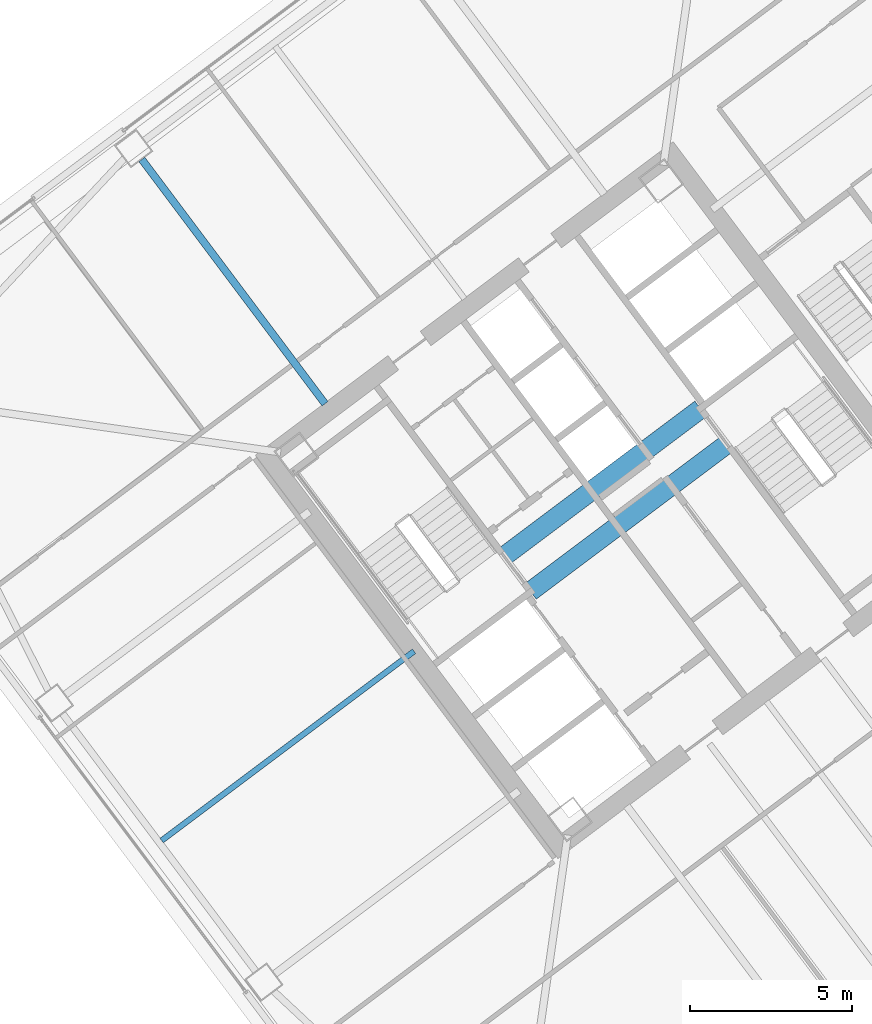
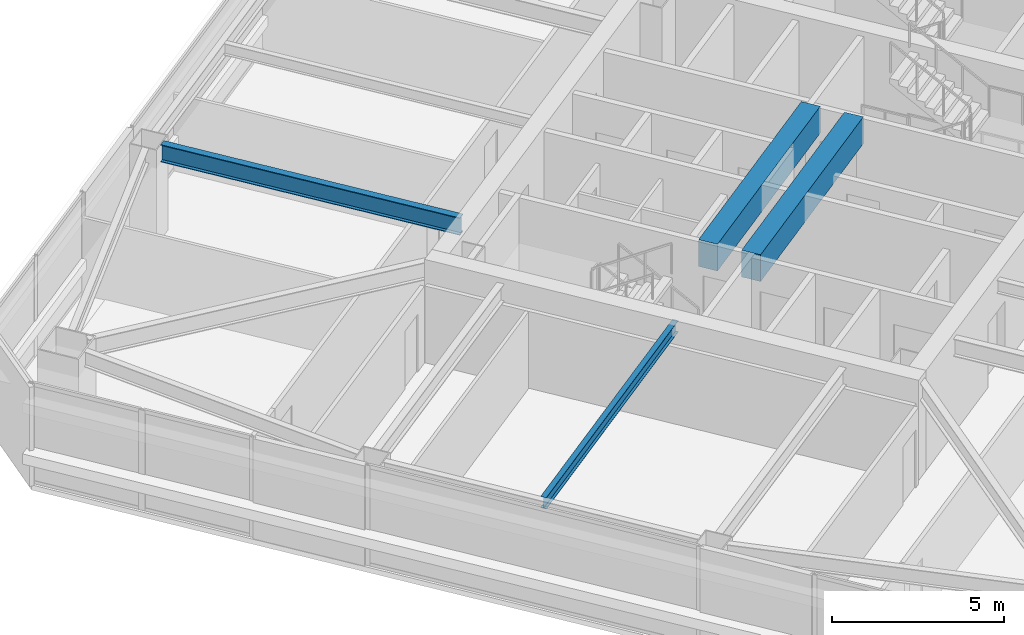
# One storey, part 22 of 46: 4 beams.
"""IFC4 building model written with IfcOpenShell, lengths in metres."""

from ifc_helpers import new_model, si_unit, direction, frame, origin, origin_2d, place, context, subcontext, project, spatial, rectangle, i_section, extrude, material, material_profile, profile_set, type_object, element, save


model = new_model("IFC4")

# Units and contexts
model_context = context("Model", 3, precision=1e-05, world=origin(), true_north=direction((0.0, 1.0)))
body_context = subcontext(model_context, "Body", "Model", "MODEL_VIEW")
ifc_project = project(units=[si_unit("LENGTHUNIT", "METRE"), si_unit("AREAUNIT", "SQUARE_METRE"), si_unit("VOLUMEUNIT", "CUBIC_METRE"), si_unit("PLANEANGLEUNIT", "RADIAN"), si_unit("MASSUNIT", "GRAM", prefix="KILO")], contexts=[model_context])

# Site, building, storey
site_placement = place(None, origin())
site = spatial("IfcSite", under=ifc_project, at=site_placement, CompositionType="ELEMENT")
building_placement = place(site_placement, origin())
building = spatial("IfcBuilding", under=site, at=building_placement, Name="Tashvorn Skyway Center", CompositionType="ELEMENT")
storey_placement = place(building_placement, frame((0.0, 0.0, 132.14990234375)))
storey = spatial("IfcBuildingStorey", under=building, at=storey_placement, Name="L35", CompositionType="ELEMENT", Elevation=132.14990234375)

# Beams
ifc_material_1 = material(Name="Steel ASTM A992 Grade 50", Category="steel")
ifc_material_profile_1 = material_profile(ifc_material_1, i_section(OverallWidth=0.22998046875, OverallDepth=0.616943359375, WebThickness=0.01318359375, FlangeThickness=0.022216796875, at=origin_2d()), Name="W24X94")
ifc_profile_set_1 = profile_set([ifc_material_profile_1], Name="Steel ASTM A992 Grade 50")
beam_type_1 = type_object("IfcBeamType", Name="BM-BEAM-W24X94", PredefinedType="BEAM", material=ifc_profile_set_1)
beam_1_placement = place(storey_placement, frame((99.342041015625, 42.5439453125, 3.0615234375), z_axis=(0.599991732772, -0.800006200354, 0.0), x_axis=(0.800006200354, 0.599991732772, 0.0)))
element("IfcBeam", 1, at=beam_1_placement, inside=storey, type_object=beam_type_1, Name="Tower 2 L35 Primary Floor Girder FC-N2", PredefinedType="BEAM", context=body_context, shape_type="SweptSolid", body=[
    extrude(i_section(OverallWidth=0.22998046875, OverallDepth=0.616943359375, WebThickness=0.01318359375, FlangeThickness=0.022216796875, at=origin_2d()), origin(), (0.0, 0.0, 1.0), 9.449951171875),
])
ifc_material_profile_2 = material_profile(ifc_material_1, i_section(OverallWidth=0.177978515625, OverallDepth=0.406005859375, WebThickness=0.0078125, FlangeThickness=0.0126953125, at=origin_2d()), Name="W16X40")
ifc_profile_set_2 = profile_set([ifc_material_profile_2], Name="Steel ASTM A992 Grade 50")
beam_type_2 = type_object("IfcBeamType", Name="BM-JOIST-W16X40", PredefinedType="JOIST", material=ifc_profile_set_2)
beam_2_placement = place(storey_placement, frame((107.76806640625, 27.325927734375, 3.1669921875), z_axis=(-0.800006001881, -0.599991997409, 0.0), x_axis=(0.599991997409, -0.800006001881, 0.0)))
element("IfcBeam", 2, at=beam_2_placement, inside=storey, type_object=beam_type_2, Name="Tower 2 L35 Secondary Composite Joist JW", PredefinedType="JOIST", context=body_context, shape_type="SweptSolid", body=[
    extrude(i_section(OverallWidth=0.177978515625, OverallDepth=0.406005859375, WebThickness=0.0078125, FlangeThickness=0.0126953125, at=origin_2d()), origin(), (0.0, 0.0, 1.0), 9.762451171875),
])
ifc_material_2 = material(Name="Concrete C60/75", Category="concrete")
ifc_material_profile_3 = material_profile(ifc_material_2, rectangle(XDim=0.60009765625, YDim=0.949951171875, at=origin_2d()), Name="RCB600x950")
ifc_profile_set_3 = profile_set([ifc_material_profile_3], Name="Concrete C60/75")
beam_type_3 = type_object("IfcBeamType", Name="BM-LINTEL-RCB600x950", PredefinedType="LINTEL", material=ifc_profile_set_3)
for number, where, z_axis, x_axis, name in (
    (3, (110.552001953125, 30.263916015625, 2.89501953125), (0.8, 0.6, 0.0), (-0.6, 0.8, 0.0), "Tower 2 L35 Core Coupling Beam CN"),
    (4, (111.367919921875, 29.176025390625, 2.89501953125), (0.8, 0.6, 0.0), (-0.6, 0.8, 0.0), "Tower 2 L35 Core Coupling Beam CS"),
):
    element("IfcBeam", number, at=place(storey_placement, frame(where, z_axis=z_axis, x_axis=x_axis)), inside=storey, type_object=beam_type_3, Name=name, PredefinedType="LINTEL", context=body_context, shape_type="SweptSolid", body=[
        extrude(rectangle(XDim=0.60009765625, YDim=0.949951171875, at=origin_2d()), origin(), (0.0, 0.0, 1.0), 7.60009765625),
    ])

save(model, "model.ifc")
